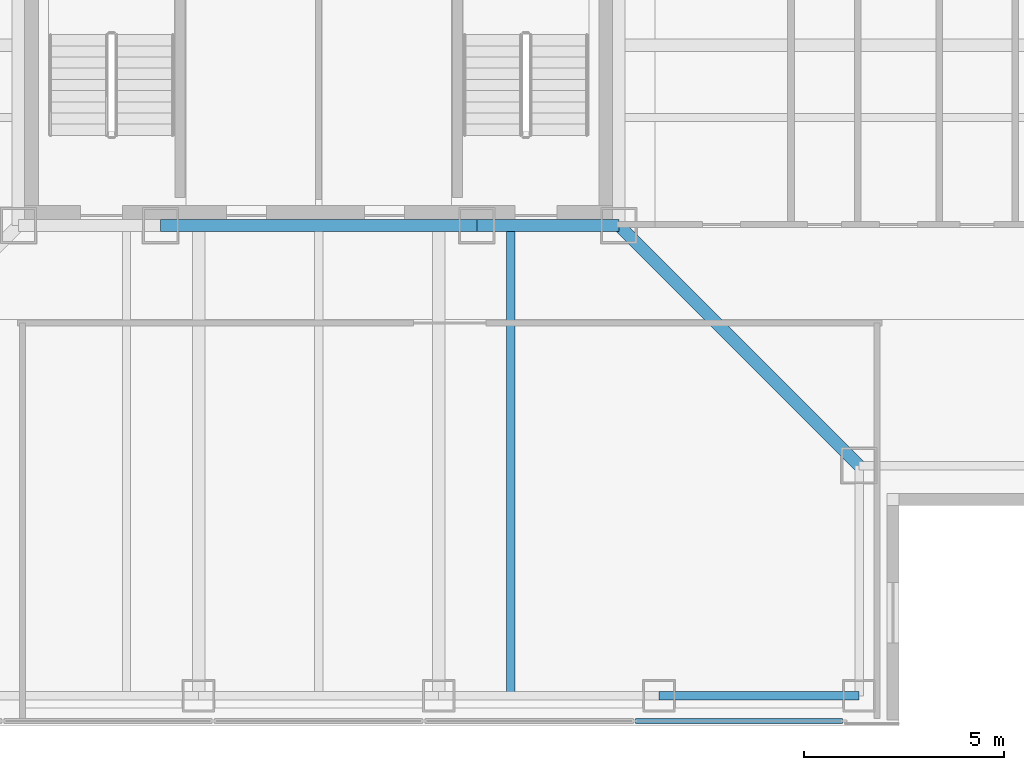
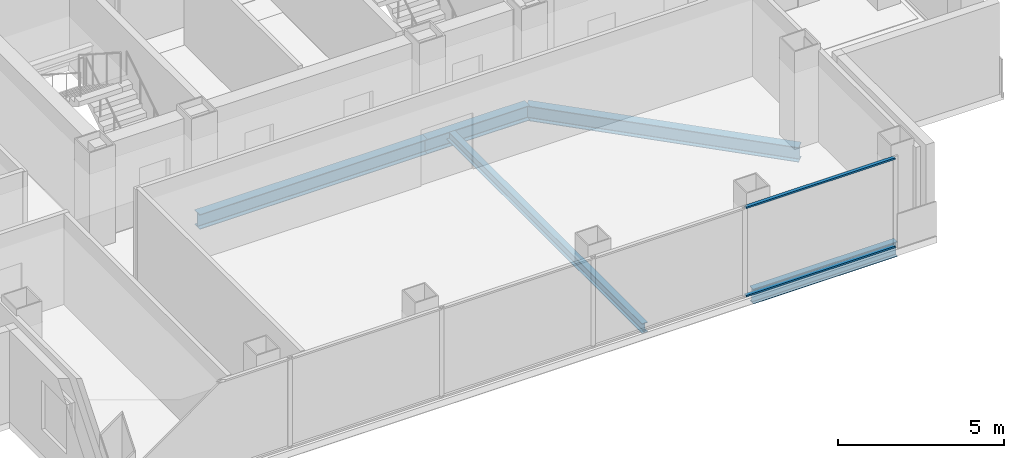
# One storey, part 3 of 17: 5 beams, 2 members, 1 element without a shape of its own.
"""IFC4 building model written with IfcOpenShell, lengths in metres."""

from ifc_helpers import new_model, si_unit, direction, frame, origin, origin_2d, place, context, subcontext, project, spatial, rectangle, i_section, extrude, material, layer, layer_set, material_profile, profile_set, type_object, element, aggregate, save


model = new_model("IFC4")

# Units and contexts
model_context = context("Model", 3, precision=1e-05, world=origin(), true_north=direction((0.0, 1.0)))
body_context = subcontext(model_context, "Body", "Model", "MODEL_VIEW")
ifc_project = project(units=[si_unit("LENGTHUNIT", "METRE"), si_unit("AREAUNIT", "SQUARE_METRE"), si_unit("VOLUMEUNIT", "CUBIC_METRE"), si_unit("PLANEANGLEUNIT", "RADIAN"), si_unit("MASSUNIT", "GRAM", prefix="KILO")], contexts=[model_context])

# Site, building, storey
site_placement = place(None, origin())
site = spatial("IfcSite", under=ifc_project, at=site_placement, CompositionType="ELEMENT")
building_placement = place(site_placement, origin())
building = spatial("IfcBuilding", under=site, at=building_placement, Name="Trevonay Congress Spire", CompositionType="ELEMENT")
storey_placement = place(building_placement, frame((0.0, 0.0, 209.39990234375)))
storey = spatial("IfcBuildingStorey", under=building, at=storey_placement, Name="L54", CompositionType="ELEMENT", Elevation=209.39990234375)

# Beams
ifc_material_1 = material(Name="Steel ASTM A572 Grade 50", Category="steel")
ifc_material_profile_1 = material_profile(ifc_material_1, i_section(OverallWidth=0.31201171875, OverallDepth=0.54296875, WebThickness=0.0126953125, FlangeThickness=0.020263671875, FilletRadius=0.014892578125, at=origin_2d()), Name="W530x150")
ifc_profile_set_1 = profile_set([ifc_material_profile_1], Name="Steel ASTM A572 Grade 50")
beam_type_1 = type_object("IfcBeamType", Name="BM-GIRD-W530X150", PredefinedType="BEAM", material=ifc_profile_set_1)
beam_1_placement = place(storey_placement, frame((-3.949951171875, -7.5, -0.511474609375), z_axis=(1.0, 0.0, 0.0), x_axis=(0.0, 1.0, 0.0)))
element("IfcBeam", 1, at=beam_1_placement, inside=storey, type_object=beam_type_1, Name="L54 structural beam BM-L54-CR-S2", PredefinedType="BEAM", context=body_context, shape_type="SweptSolid", body=[
    extrude(i_section(OverallWidth=0.31201171875, OverallDepth=0.54296875, WebThickness=0.0126953125, FlangeThickness=0.020263671875, FilletRadius=0.014892578125, at=origin_2d()), origin(), (0.0, 0.0, 1.0), 7.89990234375),
])
beam_2_placement = place(storey_placement, frame((3.949951171875, -7.5, -0.511474609375), z_axis=(1.0, 0.0, 0.0), x_axis=(0.0, 1.0, 0.0)))
element("IfcBeam", 2, at=beam_2_placement, inside=storey, type_object=beam_type_1, Name="L54 structural beam BM-L54-CR-S3", PredefinedType="BEAM", context=body_context, shape_type="SweptSolid", body=[
    extrude(i_section(OverallWidth=0.31201171875, OverallDepth=0.54296875, WebThickness=0.0126953125, FlangeThickness=0.020263671875, FilletRadius=0.014892578125, at=origin_2d()), origin(), (0.0, 0.0, 1.0), 3.550048828125),
])
beam_3_placement = place(storey_placement, frame((7.5, -7.5, -0.511474609375), z_axis=(0.707106781187, -0.707106781187, 0.0), x_axis=(0.707106781187, 0.707106781187, 0.0)))
element("IfcBeam", 3, at=beam_3_placement, inside=storey, type_object=beam_type_1, Name="L54 structural beam BM-L54-CDSE", PredefinedType="BEAM", context=body_context, shape_type="SweptSolid", body=[
    extrude(i_section(OverallWidth=0.31201171875, OverallDepth=0.54296875, WebThickness=0.0126953125, FlangeThickness=0.020263671875, FilletRadius=0.014892578125, at=origin_2d()), origin(), (0.0, 0.0, 1.0), 8.4853515625),
])
ifc_material_profile_2 = material_profile(ifc_material_1, i_section(OverallWidth=0.2119140625, OverallDepth=0.5439453125, WebThickness=0.01318359375, FlangeThickness=0.021240234375, FilletRadius=0.014892578125, at=origin_2d()), Name="W530x123")
ifc_profile_set_2 = profile_set([ifc_material_profile_2], Name="Steel ASTM A572 Grade 50")
beam_type_2 = type_object("IfcBeamType", Name="BM-RING-W530X123", PredefinedType="BEAM", material=ifc_profile_set_2)
beam_4_placement = place(storey_placement, frame((8.5, -19.25, -0.511962890625), z_axis=(1.0, 0.0, 0.0), x_axis=(0.0, 1.0, 0.0)))
element("IfcBeam", 4, at=beam_4_placement, inside=storey, type_object=beam_type_2, Name="L54 structural beam BM-L54-PS5", PredefinedType="BEAM", context=body_context, shape_type="SweptSolid", body=[
    extrude(i_section(OverallWidth=0.2119140625, OverallDepth=0.5439453125, WebThickness=0.01318359375, FlangeThickness=0.021240234375, FilletRadius=0.014892578125, at=origin_2d()), origin(), (0.0, 0.0, 1.0), 5.0),
])

# Curtain wall, members
ifc_material_2 = material(Name="Pale Anodised Aluminium EN AW-6063-T6", Category="aluminium")
ifc_layer = layer(ifc_material_2, 0.169921875, Name="Pale Anodised Aluminium EN AW-6063-T6")
ifc_layer_set = layer_set([ifc_layer], Name="Pale Anodised Aluminium EN AW-6063-T6")
curtain_wall_type = type_object("IfcCurtainWallType", Name="CW-SYS04-CORP-PALE-METAL", PredefinedType="NOTDEFINED", material=ifc_layer_set)
curtain_wall_placement = place(storey_placement, origin())
curtain_wall = element("IfcCurtainWall", 5, at=curtain_wall_placement, inside=storey, type_object=curtain_wall_type, Name="L54 S unitised curtain wall", PredefinedType="NOTDEFINED")
ifc_material_profile_3 = material_profile(ifc_material_2, rectangle(XDim=0.1201171875, YDim=0.06005859375, at=origin_2d()), Name="CW-TRANSOM-120-ALUMINIUM")
ifc_profile_set_3 = profile_set([ifc_material_profile_3], Name="Pale Anodised Aluminium EN AW-6063-T6")
member_type = type_object("IfcMemberType", Name="CW-TRANSOM-120-ALUMINIUM", PredefinedType="USERDEFINED", material=ifc_profile_set_3)
member_1_placement = place(storey_placement, frame((7.919921875, -19.8798828125, 0.06005859375), z_axis=(1.0, 0.0, 0.0), x_axis=(0.0, 1.0, 0.0)))
member_1 = element("IfcMember", 6, at=member_1_placement, type_object=member_type, Name="CW04 transom 5.1", ObjectType="TRANSOM", PredefinedType="USERDEFINED", context=body_context, shape_type="SweptSolid", body=[
    extrude(rectangle(XDim=0.1201171875, YDim=0.06005859375, at=origin_2d()), origin(), (0.0, 0.0, 1.0), 5.170166015625),
])
member_2_placement = place(storey_placement, frame((7.919921875, -19.8798828125, 3.300048828125), z_axis=(1.0, 0.0, 0.0), x_axis=(0.0, 1.0, 0.0)))
member_2 = element("IfcMember", 7, at=member_2_placement, type_object=member_type, Name="CW04 transom 5.2", ObjectType="TRANSOM", PredefinedType="USERDEFINED", context=body_context, shape_type="SweptSolid", body=[
    extrude(rectangle(XDim=0.1201171875, YDim=0.06005859375, at=origin_2d()), origin(), (0.0, 0.0, 1.0), 5.170166015625),
])
aggregate(curtain_wall, [member_1, member_2])

# Beam
ifc_material_profile_4 = material_profile(ifc_material_1, i_section(OverallWidth=0.205078125, OverallDepth=0.35400390625, WebThickness=0.009521484375, FlangeThickness=0.016845703125, FilletRadius=0.011962890625, at=origin_2d()), Name="W360x79")
ifc_profile_set_4 = profile_set([ifc_material_profile_4], Name="Steel ASTM A572 Grade 50")
beam_type_3 = type_object("IfcBeamType", Name="JS-COMP-W360X79", PredefinedType="JOIST", material=ifc_profile_set_4)
beam_5_placement = place(storey_placement, frame((4.800048828125, -19.25, -0.4169921875), z_axis=(0.0, 1.0, 0.0), x_axis=(-1.0, 0.0, 0.0)))
element("IfcBeam", 8, at=beam_5_placement, inside=storey, type_object=beam_type_3, Name="L54 structural beam JS-L54-NS-S3", PredefinedType="JOIST", context=body_context, shape_type="SweptSolid", body=[
    extrude(i_section(OverallWidth=0.205078125, OverallDepth=0.35400390625, WebThickness=0.009521484375, FlangeThickness=0.016845703125, FilletRadius=0.011962890625, at=origin_2d()), origin(), (0.0, 0.0, 1.0), 11.75),
])

save(model, "model.ifc")
